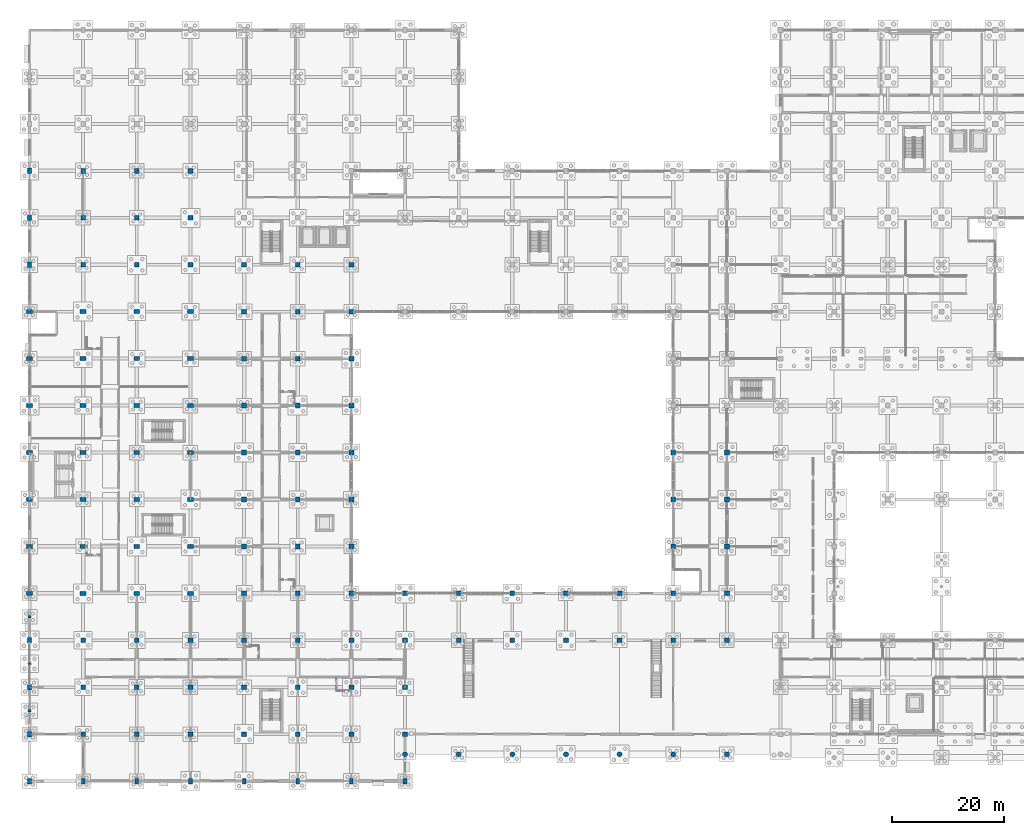
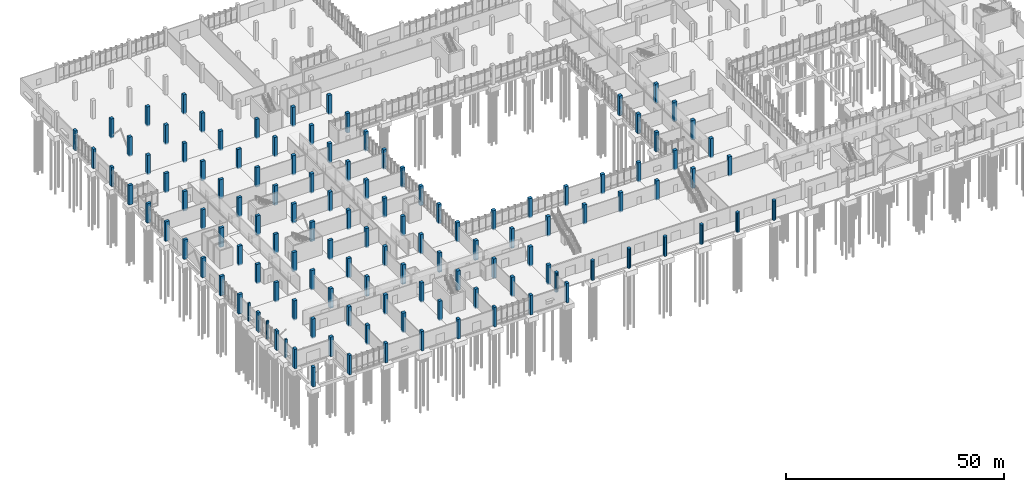
# One storey, part 20 of 136: 125 columns.
"""IFC4 building model written with IfcOpenShell, lengths in metres."""

from ifc_helpers import new_model, si_unit, direction, frame, origin, origin_2d, place, context, subcontext, project, spatial, rectangle, circle, extrude, material, material_profile, profile_set, type_object, element, save


model = new_model("IFC4")

# Units and contexts
model_context = context("Model", 3, precision=1e-05, world=origin(), true_north=direction((0.0, 1.0)))
body_context = subcontext(model_context, "Body", "Model", "MODEL_VIEW")
ifc_project = project(units=[si_unit("LENGTHUNIT", "METRE"), si_unit("AREAUNIT", "SQUARE_METRE"), si_unit("VOLUMEUNIT", "CUBIC_METRE"), si_unit("PLANEANGLEUNIT", "RADIAN"), si_unit("MASSUNIT", "GRAM", prefix="KILO")], contexts=[model_context])

# Site, building, storey
site_placement = place(None, origin())
site = spatial("IfcSite", under=ifc_project, at=site_placement, CompositionType="ELEMENT")
building_placement = place(site_placement, origin())
building = spatial("IfcBuilding", under=site, at=building_placement, Name="Oolite Switchyard Hospital", CompositionType="ELEMENT")
storey_placement = place(building_placement, origin())
storey = spatial("IfcBuildingStorey", under=building, at=storey_placement, Name="L00", CompositionType="ELEMENT", Elevation=0.0)

# Columns
ifc_material_1 = material(Name="Precast concrete C40/50", Category="concrete")
ifc_material_profile_1 = material_profile(ifc_material_1, circle(Radius=0.449951171875, at=origin_2d()), Name="RCCOL900")
ifc_profile_set_1 = profile_set([ifc_material_profile_1], Name="Precast concrete C40/50")
column_type_1 = type_object("IfcColumnType", Name="COL-PORT900", PredefinedType="COLUMN", material=ifc_profile_set_1)
for number, where, z_axis, x_axis, name in (
    (1, (67.199951171875, 4.800048828125, -0.35009765625), (0.0, 0.0, 1.0), (1.0, 0.0, 0.0), "L00 Column 120"),
    (2, (76.800048828125, 4.800048828125, -0.35009765625), (0.0, 0.0, 1.0), (1.0, 0.0, 0.0), "L00 Column 131"),
    (3, (86.39990234375, 4.800048828125, -0.35009765625), (0.0, 0.0, 1.0), (1.0, 0.0, 0.0), "L00 Column 140"),
    (4, (96.0, 4.800048828125, -0.35009765625), (0.0, 0.0, 1.0), (1.0, 0.0, 0.0), "L00 Column 147"),
    (5, (105.60009765625, 4.800048828125, -0.35009765625), (0.0, 0.0, 1.0), (1.0, 0.0, 0.0), "L00 Column 154"),
    (6, (115.199951171875, 4.800048828125, -0.35009765625), (0.0, 0.0, 1.0), (1.0, 0.0, 0.0), "L00 Column 161"),
    (7, (124.800048828125, 4.800048828125, -0.35009765625), (0.0, 0.0, 1.0), (1.0, 0.0, 0.0), "L00 Column 173"),
):
    element("IfcColumn", number, at=place(storey_placement, frame(where, z_axis=z_axis, x_axis=x_axis)), inside=storey, type_object=column_type_1, Name=name, PredefinedType="COLUMN", context=body_context, shape_type="SweptSolid", body=[
        extrude(circle(Radius=0.449951171875, at=origin_2d()), origin(), (0.0, 0.0, 1.0), 5.4501953125),
    ])
ifc_material_2 = material(Name="Concrete C50/60", Category="concrete")
ifc_material_profile_2 = material_profile(ifc_material_2, rectangle(XDim=0.85009765625, YDim=0.85009765625, at=origin_2d()), Name="RC850X850")
ifc_profile_set_2 = profile_set([ifc_material_profile_2], Name="Concrete C50/60")
column_type_2 = type_object("IfcColumnType", Name="COL-RC850", PredefinedType="COLUMN", material=ifc_profile_set_2)
for number, where, z_axis, x_axis, name in (
    (8, (9.60009765625, 8.39990234375, -0.35009765625), (0.0, 0.0, 1.0), (1.0, 0.0, 0.0), "L00 Column 18"),
    (9, (9.60009765625, 16.800048828125, -0.35009765625), (0.0, 0.0, 1.0), (1.0, 0.0, 0.0), "L00 Column 19"),
    (10, (9.60009765625, 25.199951171875, -0.35009765625), (0.0, 0.0, 1.0), (1.0, 0.0, 0.0), "L00 Column 20"),
    (11, (9.60009765625, 92.39990234375, -0.35009765625), (0.0, 0.0, 1.0), (1.0, 0.0, 0.0), "L00 Column 28"),
    (12, (9.60009765625, 100.800048828125, -0.35009765625), (0.0, 0.0, 1.0), (1.0, 0.0, 0.0), "L00 Column 29"),
    (13, (9.60009765625, 109.199951171875, -0.35009765625), (0.0, 0.0, 1.0), (1.0, 0.0, 0.0), "L00 Column 30"),
    (14, (19.199951171875, 8.39990234375, -0.35009765625), (0.0, 0.0, 1.0), (1.0, 0.0, 0.0), "L00 Column 35"),
    (15, (19.199951171875, 16.800048828125, -0.35009765625), (0.0, 0.0, 1.0), (1.0, 0.0, 0.0), "L00 Column 36"),
    (16, (19.199951171875, 25.199951171875, -0.35009765625), (0.0, 0.0, 1.0), (1.0, 0.0, 0.0), "L00 Column 37"),
    (17, (19.199951171875, 92.39990234375, -0.35009765625), (0.0, 0.0, 1.0), (1.0, 0.0, 0.0), "L00 Column 45"),
    (18, (19.199951171875, 100.800048828125, -0.35009765625), (0.0, 0.0, 1.0), (1.0, 0.0, 0.0), "L00 Column 46"),
    (19, (19.199951171875, 109.199951171875, -0.35009765625), (0.0, 0.0, 1.0), (1.0, 0.0, 0.0), "L00 Column 47"),
    (20, (28.800048828125, 8.39990234375, -0.35009765625), (0.0, 0.0, 1.0), (1.0, 0.0, 0.0), "L00 Column 52"),
    (21, (28.800048828125, 16.800048828125, -0.35009765625), (0.0, 0.0, 1.0), (1.0, 0.0, 0.0), "L00 Column 53"),
    (22, (28.800048828125, 25.199951171875, -0.35009765625), (0.0, 0.0, 1.0), (1.0, 0.0, 0.0), "L00 Column 54"),
    (23, (28.800048828125, 92.39990234375, -0.35009765625), (0.0, 0.0, 1.0), (1.0, 0.0, 0.0), "L00 Column 62"),
    (24, (28.800048828125, 100.800048828125, -0.35009765625), (0.0, 0.0, 1.0), (1.0, 0.0, 0.0), "L00 Column 63"),
    (25, (28.800048828125, 109.199951171875, -0.35009765625), (0.0, 0.0, 1.0), (1.0, 0.0, 0.0), "L00 Column 64"),
    (26, (38.39990234375, 8.39990234375, -0.35009765625), (0.0, 0.0, 1.0), (1.0, 0.0, 0.0), "L00 Column 69"),
    (27, (38.39990234375, 16.800048828125, -0.35009765625), (0.0, 0.0, 1.0), (1.0, 0.0, 0.0), "L00 Column 70"),
    (28, (38.39990234375, 25.199951171875, -0.35009765625), (0.0, 0.0, 1.0), (1.0, 0.0, 0.0), "L00 Column 71"),
    (29, (38.39990234375, 33.60009765625, -0.35009765625), (0.0, 0.0, 1.0), (1.0, 0.0, 0.0), "L00 Column 72"),
    (30, (38.39990234375, 42.0, -0.35009765625), (0.0, 0.0, 1.0), (1.0, 0.0, 0.0), "L00 Column 73"),
    (31, (38.39990234375, 50.39990234375, -0.35009765625), (0.0, 0.0, 1.0), (1.0, 0.0, 0.0), "L00 Column 74"),
    (32, (38.39990234375, 58.800048828125, -0.35009765625), (0.0, 0.0, 1.0), (1.0, 0.0, 0.0), "L00 Column 75"),
    (33, (38.39990234375, 67.199951171875, -0.35009765625), (0.0, 0.0, 1.0), (1.0, 0.0, 0.0), "L00 Column 76"),
    (34, (38.39990234375, 75.60009765625, -0.35009765625), (0.0, 0.0, 1.0), (1.0, 0.0, 0.0), "L00 Column 77"),
    (35, (38.39990234375, 84.0, -0.35009765625), (0.0, 0.0, 1.0), (1.0, 0.0, 0.0), "L00 Column 78"),
    (36, (38.39990234375, 92.39990234375, -0.35009765625), (0.0, 0.0, 1.0), (1.0, 0.0, 0.0), "L00 Column 79"),
    (37, (48.0, 8.39990234375, -0.35009765625), (0.0, 0.0, 1.0), (1.0, 0.0, 0.0), "L00 Column 86"),
    (38, (48.0, 16.800048828125, -0.35009765625), (0.0, 0.0, 1.0), (1.0, 0.0, 0.0), "L00 Column 87"),
    (39, (48.0, 25.199951171875, -0.35009765625), (0.0, 0.0, 1.0), (1.0, 0.0, 0.0), "L00 Column 88"),
    (40, (48.0, 33.60009765625, -0.35009765625), (0.0, 0.0, 1.0), (1.0, 0.0, 0.0), "L00 Column 89"),
    (41, (48.0, 42.0, -0.35009765625), (0.0, 0.0, 1.0), (1.0, 0.0, 0.0), "L00 Column 90"),
    (42, (48.0, 50.39990234375, -0.35009765625), (0.0, 0.0, 1.0), (1.0, 0.0, 0.0), "L00 Column 91"),
    (43, (48.0, 58.800048828125, -0.35009765625), (0.0, 0.0, 1.0), (1.0, 0.0, 0.0), "L00 Column 92"),
    (44, (48.0, 67.199951171875, -0.35009765625), (0.0, 0.0, 1.0), (1.0, 0.0, 0.0), "L00 Column 93"),
    (45, (48.0, 75.60009765625, -0.35009765625), (0.0, 0.0, 1.0), (1.0, 0.0, 0.0), "L00 Column 94"),
    (46, (48.0, 84.0, -0.35009765625), (0.0, 0.0, 1.0), (1.0, 0.0, 0.0), "L00 Column 95"),
    (47, (48.0, 92.39990234375, -0.35009765625), (0.0, 0.0, 1.0), (1.0, 0.0, 0.0), "L00 Column 96"),
    (48, (57.60009765625, 8.39990234375, -0.35009765625), (0.0, 0.0, 1.0), (1.0, 0.0, 0.0), "L00 Column 103"),
    (49, (57.60009765625, 16.800048828125, -0.35009765625), (0.0, 0.0, 1.0), (1.0, 0.0, 0.0), "L00 Column 104"),
    (50, (57.60009765625, 25.199951171875, -0.35009765625), (0.0, 0.0, 1.0), (1.0, 0.0, 0.0), "L00 Column 105"),
    (51, (57.60009765625, 33.60009765625, -0.35009765625), (0.0, 0.0, 1.0), (1.0, 0.0, 0.0), "L00 Column 106"),
    (52, (57.60009765625, 42.0, -0.35009765625), (0.0, 0.0, 1.0), (1.0, 0.0, 0.0), "L00 Column 107"),
    (53, (57.60009765625, 50.39990234375, -0.35009765625), (0.0, 0.0, 1.0), (1.0, 0.0, 0.0), "L00 Column 108"),
    (54, (57.60009765625, 58.800048828125, -0.35009765625), (0.0, 0.0, 1.0), (1.0, 0.0, 0.0), "L00 Column 109"),
    (55, (57.60009765625, 67.199951171875, -0.35009765625), (0.0, 0.0, 1.0), (1.0, 0.0, 0.0), "L00 Column 110"),
    (56, (57.60009765625, 75.60009765625, -0.35009765625), (0.0, 0.0, 1.0), (1.0, 0.0, 0.0), "L00 Column 111"),
    (57, (57.60009765625, 84.0, -0.35009765625), (0.0, 0.0, 1.0), (1.0, 0.0, 0.0), "L00 Column 112"),
    (58, (57.60009765625, 92.39990234375, -0.35009765625), (0.0, 0.0, 1.0), (1.0, 0.0, 0.0), "L00 Column 113"),
    (59, (67.199951171875, 8.39990234375, -0.35009765625), (0.0, 0.0, 1.0), (1.0, 0.0, 0.0), "L00 Column 121"),
    (60, (67.199951171875, 16.800048828125, -0.35009765625), (0.0, 0.0, 1.0), (1.0, 0.0, 0.0), "L00 Column 122"),
    (61, (67.199951171875, 25.199951171875, -0.35009765625), (0.0, 0.0, 1.0), (1.0, 0.0, 0.0), "L00 Column 123"),
    (62, (67.199951171875, 33.60009765625, -0.35009765625), (0.0, 0.0, 1.0), (1.0, 0.0, 0.0), "L00 Column 124"),
    (63, (76.800048828125, 25.199951171875, -0.35009765625), (0.0, 0.0, 1.0), (1.0, 0.0, 0.0), "L00 Column 132"),
    (64, (76.800048828125, 33.60009765625, -0.35009765625), (0.0, 0.0, 1.0), (1.0, 0.0, 0.0), "L00 Column 133"),
    (65, (86.39990234375, 25.199951171875, -0.35009765625), (0.0, 0.0, 1.0), (1.0, 0.0, 0.0), "L00 Column 141"),
    (66, (86.39990234375, 33.60009765625, -0.35009765625), (0.0, 0.0, 1.0), (1.0, 0.0, 0.0), "L00 Column 142"),
    (67, (96.0, 25.199951171875, -0.35009765625), (0.0, 0.0, 1.0), (1.0, 0.0, 0.0), "L00 Column 148"),
    (68, (96.0, 33.60009765625, -0.35009765625), (0.0, 0.0, 1.0), (1.0, 0.0, 0.0), "L00 Column 149"),
    (69, (105.60009765625, 25.199951171875, -0.35009765625), (0.0, 0.0, 1.0), (1.0, 0.0, 0.0), "L00 Column 155"),
    (70, (105.60009765625, 33.60009765625, -0.35009765625), (0.0, 0.0, 1.0), (1.0, 0.0, 0.0), "L00 Column 156"),
    (71, (115.199951171875, 25.199951171875, -0.35009765625), (0.0, 0.0, 1.0), (1.0, 0.0, 0.0), "L00 Column 162"),
    (72, (115.199951171875, 33.60009765625, -0.35009765625), (0.0, 0.0, 1.0), (1.0, 0.0, 0.0), "L00 Column 163"),
    (73, (115.199951171875, 42.0, -0.35009765625), (0.0, 0.0, 1.0), (1.0, 0.0, 0.0), "L00 Column 164"),
    (74, (115.199951171875, 50.39990234375, -0.35009765625), (0.0, 0.0, 1.0), (1.0, 0.0, 0.0), "L00 Column 165"),
    (75, (115.199951171875, 58.800048828125, -0.35009765625), (0.0, 0.0, 1.0), (1.0, 0.0, 0.0), "L00 Column 166"),
    (76, (124.800048828125, 25.199951171875, -0.35009765625), (0.0, 0.0, 1.0), (1.0, 0.0, 0.0), "L00 Column 174"),
    (77, (124.800048828125, 33.60009765625, -0.35009765625), (0.0, 0.0, 1.0), (1.0, 0.0, 0.0), "L00 Column 175"),
    (78, (124.800048828125, 42.0, -0.35009765625), (0.0, 0.0, 1.0), (1.0, 0.0, 0.0), "L00 Column 176"),
    (79, (124.800048828125, 50.39990234375, -0.35009765625), (0.0, 0.0, 1.0), (1.0, 0.0, 0.0), "L00 Column 177"),
    (80, (124.800048828125, 58.800048828125, -0.35009765625), (0.0, 0.0, 1.0), (1.0, 0.0, 0.0), "L00 Column 178"),
):
    element("IfcColumn", number, at=place(storey_placement, frame(where, z_axis=z_axis, x_axis=x_axis)), inside=storey, type_object=column_type_2, Name=name, PredefinedType="COLUMN", context=body_context, shape_type="SweptSolid", body=[
        extrude(rectangle(XDim=0.85009765625, YDim=0.85009765625, at=origin_2d()), origin(), (0.0, 0.0, 1.0), 5.4501953125),
    ])
ifc_material_profile_3 = material_profile(ifc_material_2, rectangle(XDim=1.050048828125, YDim=0.699951171875, at=origin_2d()), Name="RC1050X700")
ifc_profile_set_3 = profile_set([ifc_material_profile_3], Name="Concrete C50/60")
column_type_3 = type_object("IfcColumnType", Name="COL-RCR1050", PredefinedType="COLUMN", material=ifc_profile_set_3)
for number, where, z_axis, x_axis, name in (
    (81, (0.0, 33.60009765625, -0.35009765625), (0.0, 0.0, 1.0), (1.0, 0.0, 0.0), "L00 Column 5"),
    (82, (0.0, 42.0, -0.35009765625), (0.0, 0.0, 1.0), (1.0, 0.0, 0.0), "L00 Column 6"),
    (83, (0.0, 50.39990234375, -0.35009765625), (0.0, 0.0, 1.0), (1.0, 0.0, 0.0), "L00 Column 7"),
    (84, (0.0, 58.800048828125, -0.35009765625), (0.0, 0.0, 1.0), (1.0, 0.0, 0.0), "L00 Column 8"),
    (85, (0.0, 67.199951171875, -0.35009765625), (0.0, 0.0, 1.0), (1.0, 0.0, 0.0), "L00 Column 9"),
    (86, (0.0, 75.60009765625, -0.35009765625), (0.0, 0.0, 1.0), (1.0, 0.0, 0.0), "L00 Column 10"),
    (87, (0.0, 84.0, -0.35009765625), (0.0, 0.0, 1.0), (1.0, 0.0, 0.0), "L00 Column 11"),
    (88, (9.60009765625, 33.60009765625, -0.35009765625), (0.0, 0.0, 1.0), (1.0, 0.0, 0.0), "L00 Column 21"),
    (89, (9.60009765625, 42.0, -0.35009765625), (0.0, 0.0, 1.0), (1.0, 0.0, 0.0), "L00 Column 22"),
    (90, (9.60009765625, 50.39990234375, -0.35009765625), (0.0, 0.0, 1.0), (1.0, 0.0, 0.0), "L00 Column 23"),
    (91, (9.60009765625, 58.800048828125, -0.35009765625), (0.0, 0.0, 1.0), (1.0, 0.0, 0.0), "L00 Column 24"),
    (92, (9.60009765625, 67.199951171875, -0.35009765625), (0.0, 0.0, 1.0), (1.0, 0.0, 0.0), "L00 Column 25"),
    (93, (9.60009765625, 75.60009765625, -0.35009765625), (0.0, 0.0, 1.0), (1.0, 0.0, 0.0), "L00 Column 26"),
    (94, (9.60009765625, 84.0, -0.35009765625), (0.0, 0.0, 1.0), (1.0, 0.0, 0.0), "L00 Column 27"),
    (95, (19.199951171875, 33.60009765625, -0.35009765625), (0.0, 0.0, 1.0), (1.0, 0.0, 0.0), "L00 Column 38"),
    (96, (19.199951171875, 42.0, -0.35009765625), (0.0, 0.0, 1.0), (1.0, 0.0, 0.0), "L00 Column 39"),
    (97, (19.199951171875, 50.39990234375, -0.35009765625), (0.0, 0.0, 1.0), (1.0, 0.0, 0.0), "L00 Column 40"),
    (98, (19.199951171875, 58.800048828125, -0.35009765625), (0.0, 0.0, 1.0), (1.0, 0.0, 0.0), "L00 Column 41"),
    (99, (19.199951171875, 67.199951171875, -0.35009765625), (0.0, 0.0, 1.0), (1.0, 0.0, 0.0), "L00 Column 42"),
    (100, (19.199951171875, 75.60009765625, -0.35009765625), (0.0, 0.0, 1.0), (1.0, 0.0, 0.0), "L00 Column 43"),
    (101, (19.199951171875, 84.0, -0.35009765625), (0.0, 0.0, 1.0), (1.0, 0.0, 0.0), "L00 Column 44"),
    (102, (28.800048828125, 33.60009765625, -0.35009765625), (0.0, 0.0, 1.0), (1.0, 0.0, 0.0), "L00 Column 55"),
    (103, (28.800048828125, 42.0, -0.35009765625), (0.0, 0.0, 1.0), (1.0, 0.0, 0.0), "L00 Column 56"),
    (104, (28.800048828125, 50.39990234375, -0.35009765625), (0.0, 0.0, 1.0), (1.0, 0.0, 0.0), "L00 Column 57"),
    (105, (28.800048828125, 58.800048828125, -0.35009765625), (0.0, 0.0, 1.0), (1.0, 0.0, 0.0), "L00 Column 58"),
    (106, (28.800048828125, 67.199951171875, -0.35009765625), (0.0, 0.0, 1.0), (1.0, 0.0, 0.0), "L00 Column 59"),
    (107, (28.800048828125, 75.60009765625, -0.35009765625), (0.0, 0.0, 1.0), (1.0, 0.0, 0.0), "L00 Column 60"),
    (108, (28.800048828125, 84.0, -0.35009765625), (0.0, 0.0, 1.0), (1.0, 0.0, 0.0), "L00 Column 61"),
):
    element("IfcColumn", number, at=place(storey_placement, frame(where, z_axis=z_axis, x_axis=x_axis)), inside=storey, type_object=column_type_3, Name=name, PredefinedType="COLUMN", context=body_context, shape_type="SweptSolid", body=[
        extrude(rectangle(XDim=1.050048828125, YDim=0.699951171875, at=origin_2d()), origin(), (0.0, 0.0, 1.0), 5.4501953125),
    ])
ifc_material_profile_4 = material_profile(ifc_material_2, rectangle(XDim=0.949951171875, YDim=0.64990234375, at=origin_2d()), Name="RC950X650")
ifc_profile_set_4 = profile_set([ifc_material_profile_4], Name="Concrete C50/60")
column_type_4 = type_object("IfcColumnType", Name="COL-RCR950", PredefinedType="COLUMN", material=ifc_profile_set_4)
for number, where, z_axis, x_axis, name in (
    (109, (0.0, 0.0, -0.35009765625), (0.0, 0.0, 1.0), (0.0, 1.0, 0.0), "L00 Column 1"),
    (110, (0.0, 8.39990234375, -0.35009765625), (0.0, 0.0, 1.0), (0.0, 1.0, 0.0), "L00 Column 2"),
    (111, (0.0, 16.800048828125, -0.35009765625), (0.0, 0.0, 1.0), (0.0, 1.0, 0.0), "L00 Column 3"),
    (112, (0.0, 25.199951171875, -0.35009765625), (0.0, 0.0, 1.0), (0.0, 1.0, 0.0), "L00 Column 4"),
    (113, (0.0, 92.39990234375, -0.35009765625), (0.0, 0.0, 1.0), (0.0, 1.0, 0.0), "L00 Column 12"),
    (114, (0.0, 100.800048828125, -0.35009765625), (0.0, 0.0, 1.0), (0.0, 1.0, 0.0), "L00 Column 13"),
    (115, (0.0, 109.199951171875, -0.35009765625), (0.0, 0.0, 1.0), (0.0, 1.0, 0.0), "L00 Column 14"),
    (116, (9.60009765625, 0.0, -0.35009765625), (0.0, 0.0, 1.0), (0.0, 1.0, 0.0), "L00 Column 17"),
    (117, (19.199951171875, 0.0, -0.35009765625), (0.0, 0.0, 1.0), (0.0, 1.0, 0.0), "L00 Column 34"),
    (118, (28.800048828125, 0.0, -0.35009765625), (0.0, 0.0, 1.0), (0.0, 1.0, 0.0), "L00 Column 51"),
    (119, (38.39990234375, 0.0, -0.35009765625), (0.0, 0.0, 1.0), (0.0, 1.0, 0.0), "L00 Column 68"),
    (120, (48.0, 0.0, -0.35009765625), (0.0, 0.0, 1.0), (0.0, 1.0, 0.0), "L00 Column 85"),
    (121, (57.60009765625, 0.0, -0.35009765625), (0.0, 0.0, 1.0), (0.0, 1.0, 0.0), "L00 Column 102"),
    (122, (67.199951171875, 0.0, -0.35009765625), (0.0, 0.0, 1.0), (0.0, 1.0, 0.0), "L00 Column 119"),
):
    element("IfcColumn", number, at=place(storey_placement, frame(where, z_axis=z_axis, x_axis=x_axis)), inside=storey, type_object=column_type_4, Name=name, PredefinedType="COLUMN", context=body_context, shape_type="SweptSolid", body=[
        extrude(rectangle(XDim=0.949951171875, YDim=0.64990234375, at=origin_2d()), origin(), (0.0, 0.0, 1.0), 5.4501953125),
    ])
ifc_material_profile_5 = material_profile(ifc_material_1, rectangle(XDim=0.56005859375, YDim=0.39990234375, at=origin_2d()), Name="PIL560X400")
ifc_profile_set_5 = profile_set([ifc_material_profile_5], Name="Precast concrete C40/50")
column_type_5 = type_object("IfcColumnType", Name="PIL-560X400", PredefinedType="PILASTER", material=ifc_profile_set_5)
for number, where, z_axis, x_axis, name in (
    (123, (0.0, 12.60009765625, 0.0), (0.0, 0.0, 1.0), (1.0, 0.0, 0.0), "L00 Classical Pilaster 11"),
    (124, (0.0, 21.0, 0.0), (0.0, 0.0, 1.0), (1.0, 0.0, 0.0), "L00 Classical Pilaster 12"),
    (125, (0.0, 29.39990234375, 0.0), (0.0, 0.0, 1.0), (1.0, 0.0, 0.0), "L00 Classical Pilaster 13"),
):
    element("IfcColumn", number, at=place(storey_placement, frame(where, z_axis=z_axis, x_axis=x_axis)), inside=storey, type_object=column_type_5, Name=name, PredefinedType="PILASTER", context=body_context, shape_type="SweptSolid", body=[
        extrude(rectangle(XDim=0.56005859375, YDim=0.39990234375, at=origin_2d()), origin(), (0.0, 0.0, 1.0), 5.10009765625),
    ])

save(model, "model.ifc")
